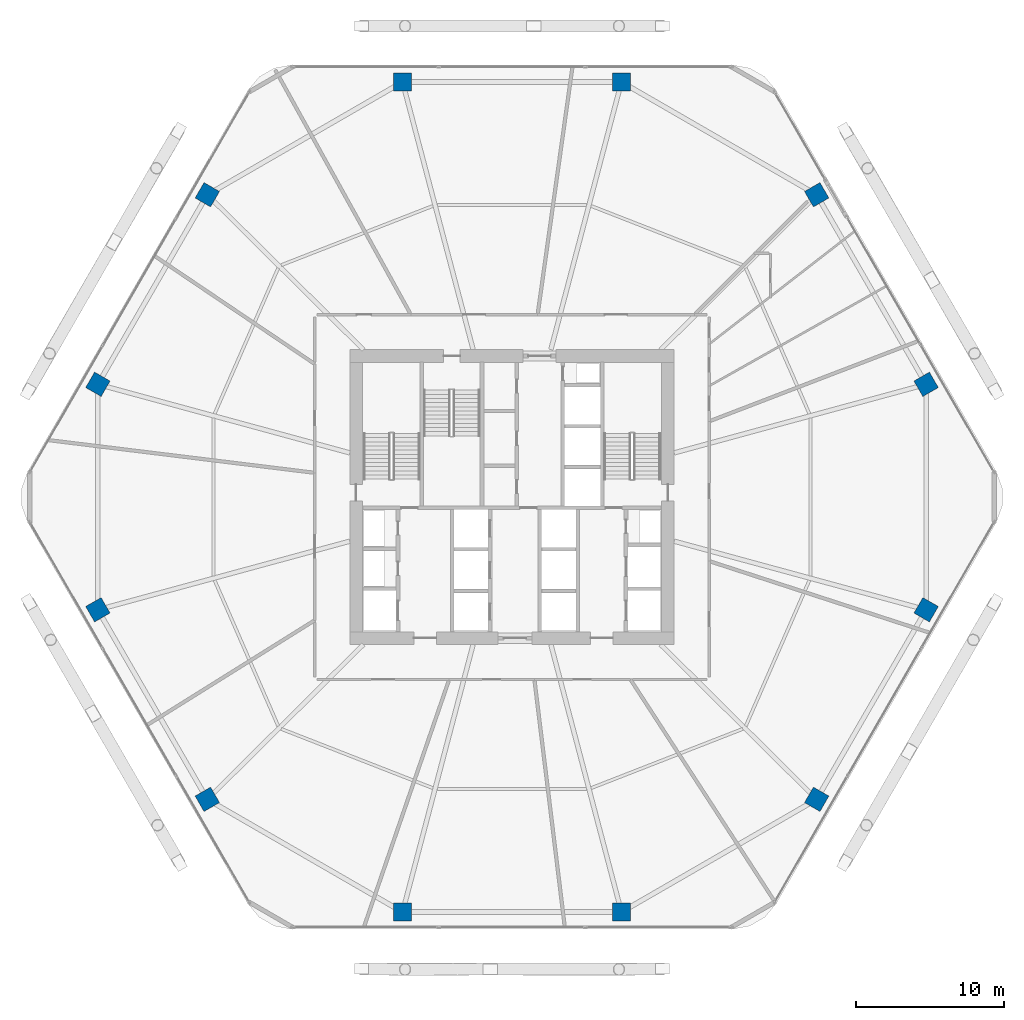
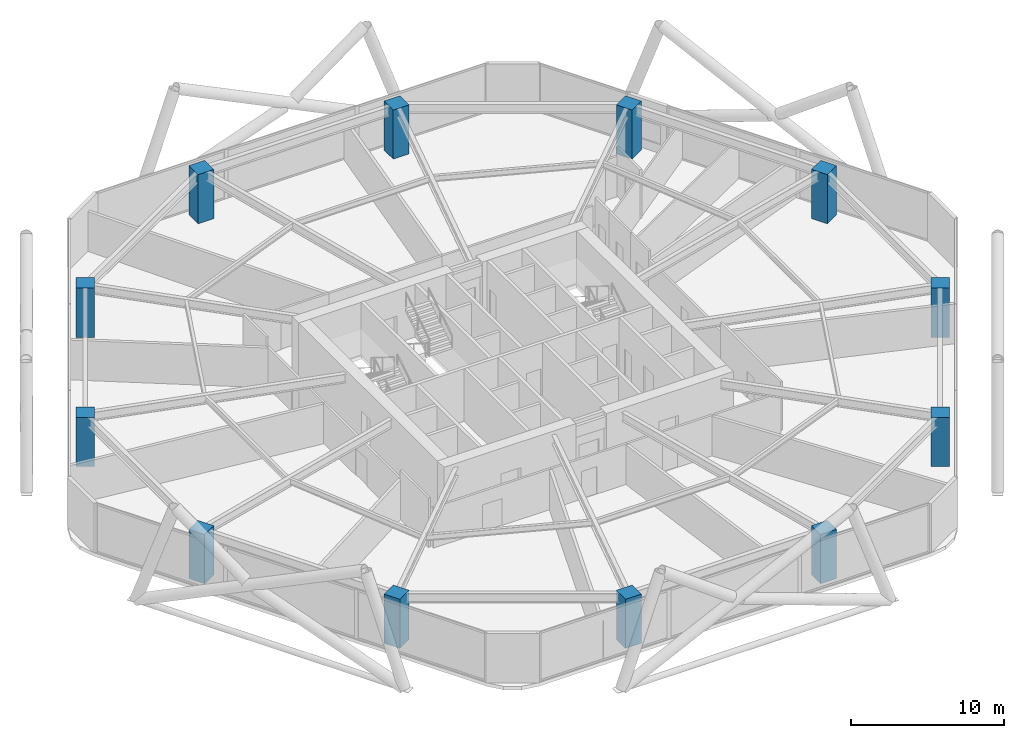
# One storey, part 1 of 28: 12 columns.
"""IFC4 building model written with IfcOpenShell, lengths in metres."""

from ifc_helpers import new_model, si_unit, direction, frame, origin, origin_2d, place, context, subcontext, project, spatial, rectangle, extrude, material, material_profile, profile_set, type_object, element, save


model = new_model("IFC4")

# Units and contexts
model_context = context("Model", 3, precision=1e-05, world=origin(), true_north=direction((0.0, 1.0)))
body_context = subcontext(model_context, "Body", "Model", "MODEL_VIEW")
ifc_project = project(units=[si_unit("LENGTHUNIT", "METRE"), si_unit("AREAUNIT", "SQUARE_METRE"), si_unit("VOLUMEUNIT", "CUBIC_METRE"), si_unit("PLANEANGLEUNIT", "RADIAN"), si_unit("MASSUNIT", "GRAM", prefix="KILO")], contexts=[model_context])

# Site, building, storey
site_placement = place(None, origin())
site = spatial("IfcSite", under=ifc_project, at=site_placement, CompositionType="ELEMENT")
building_placement = place(site_placement, origin())
building = spatial("IfcBuilding", under=site, at=building_placement, Name="Zuhravey Tower", CompositionType="ELEMENT")
storey_placement = place(building_placement, frame((0.0, 0.0, 24.60009765625)))
storey = spatial("IfcBuildingStorey", under=building, at=storey_placement, Name="L06", CompositionType="ELEMENT", Elevation=24.60009765625)

# Columns
ifc_material = material(Name="Concrete C60/75", Category="concrete")
ifc_material_profile = material_profile(ifc_material, rectangle(XDim=1.199951171875, YDim=1.199951171875, at=origin_2d()), Name="RC-1200x1200")
ifc_profile_set = profile_set([ifc_material_profile], Name="Concrete C60/75")
column_type = type_object("IfcColumnType", Name="Zone 1 Perimeter Column 1200x1200", PredefinedType="COLUMN", material=ifc_profile_set)
for number, where, z_axis, x_axis, name in (
    (1, (63.88916015625, 39.591552734375, 0.0), (0.0, 0.0, 1.0), (-0.5, 0.866025403784, 0.0), "L06 Perimeter Column PC01"),
    (2, (56.51904296875, 52.35693359375, 0.0), (0.0, 0.0, 1.0), (-0.5, 0.866025403784, 0.0), "L06 Perimeter Column PC02"),
    (3, (43.3701171875, 59.948486328125, 0.0), (0.0, 0.0, 1.0), (-1.0, 0.0, 0.0), "L06 Perimeter Column PC03"),
    (4, (28.6298828125, 59.948486328125, 0.0), (0.0, 0.0, 1.0), (-1.0, 0.0, 0.0), "L06 Perimeter Column PC04"),
    (5, (15.48095703125, 52.35693359375, 0.0), (0.0, 0.0, 1.0), (-0.5, -0.866025403784, 0.0), "L06 Perimeter Column PC05"),
    (6, (8.11083984375, 39.591552734375, 0.0), (0.0, 0.0, 1.0), (-0.5, -0.866025403784, 0.0), "L06 Perimeter Column PC06"),
    (7, (8.11083984375, 24.408447265625, 0.0), (0.0, 0.0, 1.0), (0.5, -0.866025403784, 0.0), "L06 Perimeter Column PC07"),
    (8, (15.48095703125, 11.64306640625, 0.0), (0.0, 0.0, 1.0), (0.5, -0.866025403784, 0.0), "L06 Perimeter Column PC08"),
    (9, (28.6298828125, 4.051513671875, 0.0), (0.0, 0.0, 1.0), (1.0, 0.0, 0.0), "L06 Perimeter Column PC09"),
    (10, (43.3701171875, 4.051513671875, 0.0), (0.0, 0.0, 1.0), (1.0, 0.0, 0.0), "L06 Perimeter Column PC10"),
    (11, (56.51904296875, 11.64306640625, 0.0), (0.0, 0.0, 1.0), (0.5, 0.866025403784, 0.0), "L06 Perimeter Column PC11"),
    (12, (63.88916015625, 24.408447265625, 0.0), (0.0, 0.0, 1.0), (0.5, 0.866025403784, 0.0), "L06 Perimeter Column PC12"),
):
    element("IfcColumn", number, at=place(storey_placement, frame(where, z_axis=z_axis, x_axis=x_axis)), inside=storey, type_object=column_type, Name=name, PredefinedType="COLUMN", context=body_context, shape_type="SweptSolid", body=[
        extrude(rectangle(XDim=1.199951171875, YDim=1.199951171875, at=origin_2d()), origin(), (0.0, 0.0, 1.0), 3.919921875),
    ])

save(model, "model.ifc")
